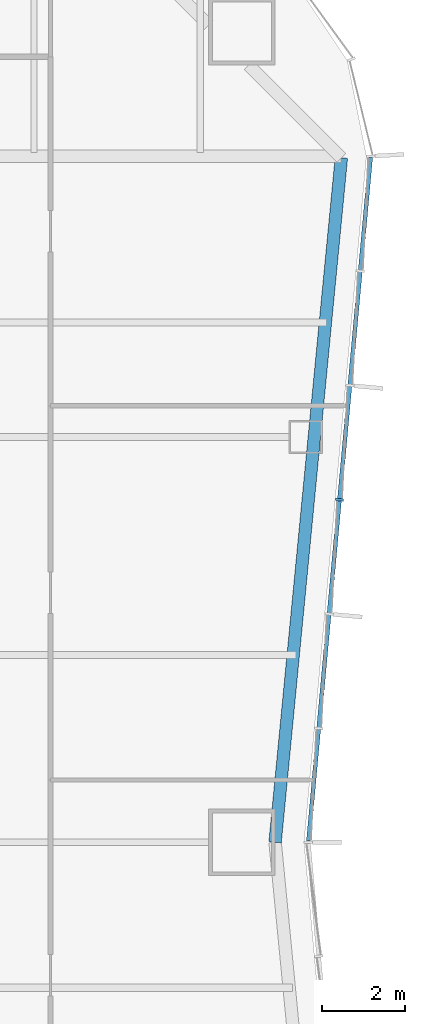
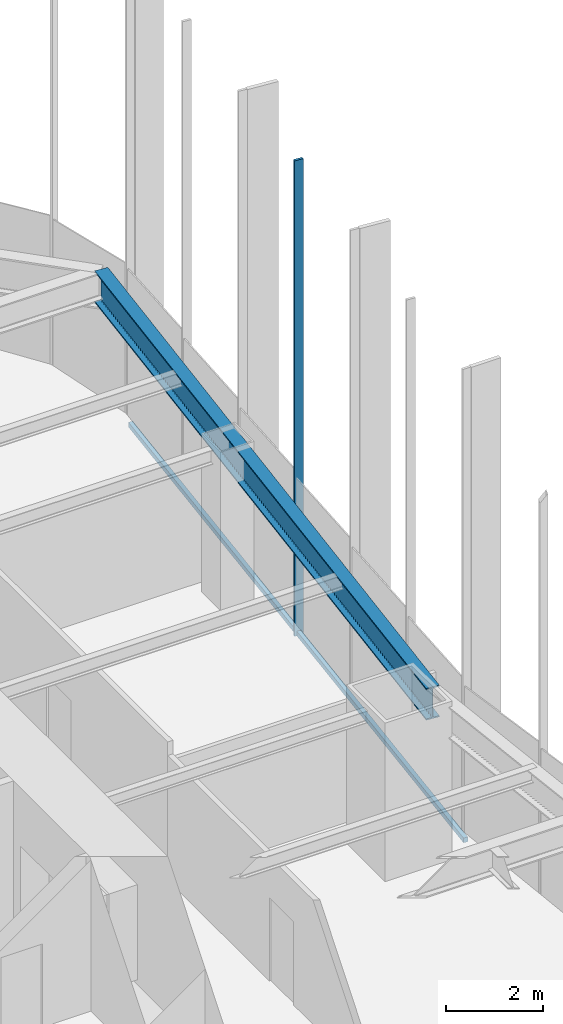
# One storey, part 5 of 13: 2 members, 1 beam, 1 element without a shape of its own.
"""IFC4 building model written with IfcOpenShell, lengths in metres."""

from ifc_helpers import new_model, si_unit, direction, frame, origin, origin_2d, place, context, subcontext, project, spatial, rectangle, i_section, extrude, material, material_profile, profile_set, type_object, element, aggregate, save


model = new_model("IFC4")

# Units and contexts
model_context = context("Model", 3, precision=1e-05, world=origin(), true_north=direction((0.0, 1.0)))
body_context = subcontext(model_context, "Body", "Model", "MODEL_VIEW")
ifc_project = project(units=[si_unit("LENGTHUNIT", "METRE"), si_unit("AREAUNIT", "SQUARE_METRE"), si_unit("VOLUMEUNIT", "CUBIC_METRE"), si_unit("PLANEANGLEUNIT", "RADIAN"), si_unit("MASSUNIT", "GRAM", prefix="KILO")], contexts=[model_context])

# Site, building, storey
site_placement = place(None, origin())
site = spatial("IfcSite", under=ifc_project, at=site_placement, CompositionType="ELEMENT")
building_placement = place(site_placement, origin())
building = spatial("IfcBuilding", under=site, at=building_placement, Name="Verdant Reach Tower", CompositionType="ELEMENT")
storey_placement = place(building_placement, frame((0.0, 0.0, 38.0)))
storey = spatial("IfcBuildingStorey", under=building, at=storey_placement, Name="L08", CompositionType="ELEMENT", Elevation=38.0)

# Curtain wall, members
ifc_material_1 = material(Name="Anodised aluminium", Category="aluminium")
curtain_wall_type = type_object("IfcCurtainWallType", Name="EN-CW SYSTEM Z0", PredefinedType="NOTDEFINED", material=ifc_material_1)
curtain_wall_placement = place(storey_placement, origin())
curtain_wall = element("IfcCurtainWall", 1, at=curtain_wall_placement, inside=storey, type_object=curtain_wall_type, Name="Curtain wall east, L08", PredefinedType="NOTDEFINED")
ifc_material_profile_1 = material_profile(ifc_material_1, rectangle(XDim=0.199951171875, YDim=0.06005859375, at=origin_2d()), Name="Mullion 60x200")
ifc_profile_set_1 = profile_set([ifc_material_profile_1], Name="Anodised aluminium")
member_type_1 = type_object("IfcMemberType", Name="EN-MULLION Z0", PredefinedType="MULLION", material=ifc_profile_set_1)
member_1_placement = place(storey_placement, frame((23.349609375, 30.740966796875, -0.35009765625), z_axis=(0.0, 0.0, 1.0), x_axis=(0.995893206467, -0.090535746047, 0.0)))
member_1 = element("IfcMember", 2, at=member_1_placement, type_object=member_type_1, Name="Mullion east face part 2 4, L08", PredefinedType="MULLION", context=body_context, shape_type="SweptSolid", body=[
    extrude(rectangle(XDim=0.199951171875, YDim=0.06005859375, at=origin_2d()), origin(), (0.0, 0.0, 1.0), 12.0),
])
ifc_material_profile_2 = material_profile(ifc_material_1, rectangle(XDim=0.10009765625, YDim=0.1201171875, at=origin_2d()), Name="Transom 120x100")
ifc_profile_set_2 = profile_set([ifc_material_profile_2], Name="Anodised aluminium")
member_type_2 = type_object("IfcMemberType", Name="EN-TRANSOM Z0", PredefinedType="USERDEFINED", material=ifc_profile_set_2)
member_2_placement = place(storey_placement, frame((22.602783203125, 22.52978515625, -0.2900390625), z_axis=(0.090495755184, 0.995896841191, 0.0), x_axis=(-0.995896841191, 0.090495755184, 0.0)))
member_2 = element("IfcMember", 3, at=member_2_placement, type_object=member_type_2, Name="Transom east face part 2 1.1, L08", ObjectType="TRANSOM", PredefinedType="USERDEFINED", context=body_context, shape_type="SweptSolid", body=[
    extrude(rectangle(XDim=0.10009765625, YDim=0.1201171875, at=origin_2d()), origin(), (0.0, 0.0, 1.0), 16.513427734375),
])
aggregate(curtain_wall, [member_1, member_2])

# Beam
ifc_material_2 = material(Name="Steel S355", Category="steel")
ifc_material_profile_3 = material_profile(ifc_material_2, i_section(OverallWidth=0.300048828125, OverallDepth=0.800048828125, WebThickness=0.017578125, FlangeThickness=0.032958984375, FilletRadius=0.030029296875, at=origin_2d()), Name="HEB 800")
ifc_profile_set_3 = profile_set([ifc_material_profile_3], Name="Steel S355")
beam_type = type_object("IfcBeamType", Name="ST-SPANDREL-HEB800", PredefinedType="SPANDREL", material=ifc_profile_set_3)
beam_placement = place(storey_placement, frame((23.39453125, 38.968017578125, 3.469970703125), z_axis=(-0.096372296695, -0.995345357366, 0.0), x_axis=(0.995345357366, -0.096372296695, 0.0)))
element("IfcBeam", 4, at=beam_placement, inside=storey, type_object=beam_type, Name="Edge beam, L08", PredefinedType="SPANDREL", context=body_context, shape_type="SweptSolid", body=[
    extrude(i_section(OverallWidth=0.300048828125, OverallDepth=0.800048828125, WebThickness=0.017578125, FlangeThickness=0.032958984375, FilletRadius=0.030029296875, at=origin_2d()), origin(), (0.0, 0.0, 1.0), 16.544921875),
])

save(model, "model.ifc")
